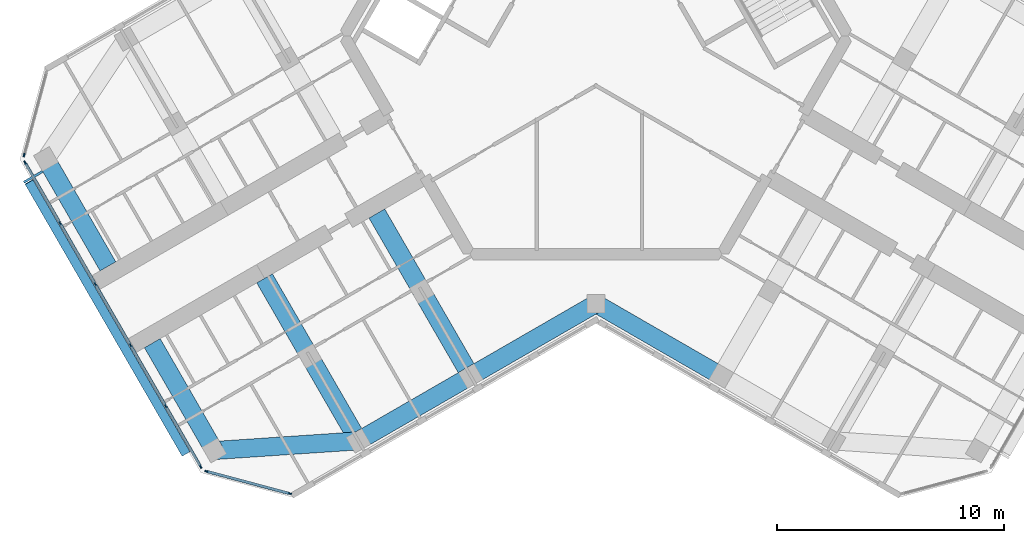
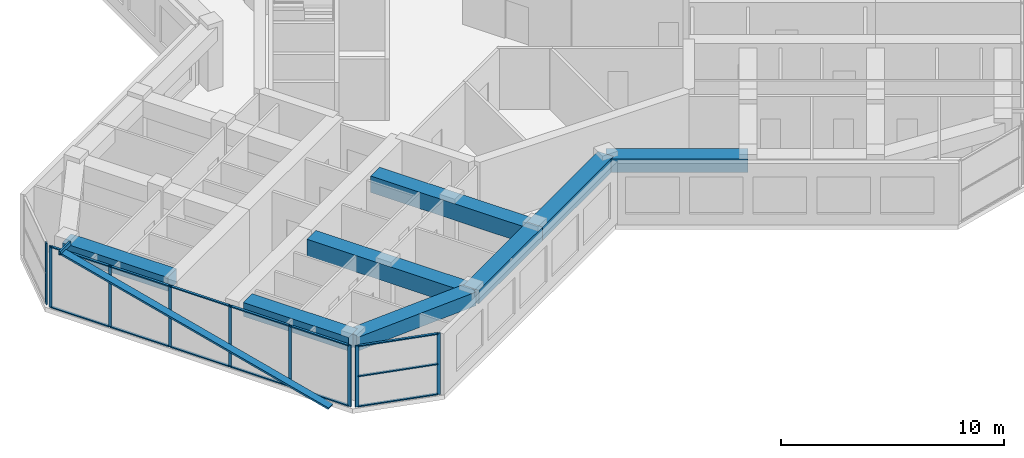
# One storey, part 2 of 14: 24 members, 8 beams, 3 elements without a shape of their own.
"""IFC4 building model written with IfcOpenShell, lengths in metres."""

from ifc_helpers import new_model, si_unit, direction, frame, origin, origin_2d, place, context, subcontext, project, spatial, rectangle, hollow_rectangle, extrude, material, material_profile, profile_set, type_object, element, aggregate, save


model = new_model("IFC4")

# Units and contexts
model_context = context("Model", 3, precision=1e-05, world=origin(), true_north=direction((0.0, 1.0)))
body_context = subcontext(model_context, "Body", "Model", "MODEL_VIEW")
ifc_project = project(units=[si_unit("LENGTHUNIT", "METRE"), si_unit("AREAUNIT", "SQUARE_METRE"), si_unit("VOLUMEUNIT", "CUBIC_METRE"), si_unit("PLANEANGLEUNIT", "RADIAN"), si_unit("MASSUNIT", "GRAM", prefix="KILO")], contexts=[model_context])

# Site, building, storey
site_placement = place(None, origin())
site = spatial("IfcSite", under=ifc_project, at=site_placement, CompositionType="ELEMENT")
building_placement = place(site_placement, origin())
building = spatial("IfcBuilding", under=site, at=building_placement, Name="Kosmar Iwan School Tower", CompositionType="ELEMENT")
storey_placement = place(building_placement, frame((0.0, 0.0, 289.0)))
storey = spatial("IfcBuildingStorey", under=building, at=storey_placement, Name="L73", CompositionType="ELEMENT", Elevation=289.0)

# Members
ifc_material_1 = material(Name="Black anodised aluminium", Category="aluminium")
ifc_material_profile_1 = material_profile(ifc_material_1, rectangle(XDim=0.10009765625, YDim=0.39990234375, at=origin_2d()), Name="FIN 100x400")
ifc_profile_set_1 = profile_set([ifc_material_profile_1], Name="Black anodised aluminium")
member_type_1 = type_object("IfcMemberType", Name="Diagonal fin 100x400", PredefinedType="USERDEFINED", material=ifc_profile_set_1)
member_1_placement = place(storey_placement, frame((-18.0283203125, -18.3740234375, -0.14990234375), z_axis=(-0.483802480126, 0.837968840024, 0.252474520243), x_axis=(0.126237445008, -0.218649241594, 0.967603543104)))
element("IfcMember", 1, at=member_1_placement, inside=storey, type_object=member_type_1, Name="Diagonal fin L73-F13", ObjectType="FIN", PredefinedType="USERDEFINED", context=body_context, shape_type="SweptSolid", body=[
    extrude(rectangle(XDim=0.10009765625, YDim=0.39990234375, at=origin_2d()), origin(), (0.0, 0.0, 1.0), 14.25830078125),
])
ifc_material_2 = material(Name="Steel S355", Category="steel")
ifc_material_profile_2 = material_profile(ifc_material_2, hollow_rectangle(XDim=0.10009765625, YDim=0.199951171875, WallThickness=0.008056640625, at=origin_2d()), Name="RHS 200x100x8")
ifc_profile_set_2 = profile_set([ifc_material_profile_2], Name="Steel S355")
member_type_2 = type_object("IfcMemberType", Name="Fin bracket RHS 200x100", PredefinedType="USERDEFINED", material=ifc_profile_set_2)
member_2_placement = place(storey_placement, frame((-24.327880859375, -5.962890625, 3.47509765625), z_axis=(-0.866100000774, -0.49987077196, 0.0), x_axis=(0.49987077196, -0.866100000774, 0.0)))
element("IfcMember", 2, at=member_2_placement, inside=storey, type_object=member_type_2, Name="Fin bracket L74", ObjectType="FIN BRACKET", PredefinedType="USERDEFINED", context=body_context, shape_type="SweptSolid", body=[
    extrude(hollow_rectangle(XDim=0.10009765625, YDim=0.199951171875, WallThickness=0.008056640625, at=origin_2d()), origin(), (0.0, 0.0, 1.0), 0.949951171875),
])

# Curtain wall, member
ifc_material_3 = material(Name="Dark glass in black aluminium frame", Category="aluminium")
curtain_wall_type_1 = type_object("IfcCurtainWallType", Name="Chamfer curtain wall dark glass", PredefinedType="USERDEFINED", material=ifc_material_3)
curtain_wall_1_placement = place(storey_placement, origin())
curtain_wall_1 = element("IfcCurtainWall", 3, at=curtain_wall_1_placement, inside=storey, type_object=curtain_wall_type_1, Name="Curtain wall L73-F12", ObjectType="FACETED CURTAIN WALL", PredefinedType="USERDEFINED")
ifc_material_4 = material(Name="Black anodised aluminium", Category="aluminium")
ifc_material_profile_3 = material_profile(ifc_material_4, rectangle(XDim=0.06005859375, YDim=0.159912109375, at=origin_2d()), Name="MULLION 60x160")
ifc_profile_set_3 = profile_set([ifc_material_profile_3], Name="Black anodised aluminium")
member_type_3 = type_object("IfcMemberType", Name="Mullion 60x160", PredefinedType="MULLION", material=ifc_profile_set_3)
member_3_placement = place(storey_placement, frame((-25.141845703125, -5.24853515625, 0.0), z_axis=(0.0, 0.0, 1.0), x_axis=(0.965925875495, -0.258818861462, 0.0)))
member_3 = element("IfcMember", 4, at=member_3_placement, type_object=member_type_3, Name="CW2 mullion 2", PredefinedType="MULLION", context=body_context, shape_type="SweptSolid", body=[
    extrude(rectangle(XDim=0.06005859375, YDim=0.159912109375, at=origin_2d()), origin(), (0.0, 0.0, 1.0), 3.35009765625),
])
aggregate(curtain_wall_1, [member_3])

# Curtain wall, members
ifc_material_5 = material(Name="Dark glass in black aluminium frame", Category="aluminium")
curtain_wall_type_2 = type_object("IfcCurtainWallType", Name="Tower curtain wall dark glass", PredefinedType="USERDEFINED", material=ifc_material_5)
curtain_wall_2_placement = place(storey_placement, origin())
curtain_wall_2 = element("IfcCurtainWall", 5, at=curtain_wall_2_placement, inside=storey, type_object=curtain_wall_type_2, Name="Curtain wall L73-F13", ObjectType="UNITISED CURTAIN WALL", PredefinedType="USERDEFINED")
member_4_placement = place(storey_placement, frame((-25.098388671875, -5.578369140625, 0.0), z_axis=(0.0, 0.0, 1.0), x_axis=(0.866025405329, 0.499999997325, 0.0)))
member_4 = element("IfcMember", 6, at=member_4_placement, type_object=member_type_3, Name="CW1 mullion 1", PredefinedType="MULLION", context=body_context, shape_type="SweptSolid", body=[
    extrude(rectangle(XDim=0.06005859375, YDim=0.159912109375, at=origin_2d()), origin(), (0.0, 0.0, 1.0), 3.35009765625),
])
member_5_placement = place(storey_placement, frame((-23.563720703125, -8.236328125, 0.0), z_axis=(0.0, 0.0, 1.0), x_axis=(0.866025405329, 0.499999997325, 0.0)))
member_5 = element("IfcMember", 7, at=member_5_placement, type_object=member_type_3, Name="CW1 mullion 2", PredefinedType="MULLION", context=body_context, shape_type="SweptSolid", body=[
    extrude(rectangle(XDim=0.06005859375, YDim=0.159912109375, at=origin_2d()), origin(), (0.0, 0.0, 1.0), 3.35009765625),
])
member_6_placement = place(storey_placement, frame((-22.01416015625, -10.92041015625, 0.0), z_axis=(0.0, 0.0, 1.0), x_axis=(0.866025405329, 0.499999997325, 0.0)))
member_6 = element("IfcMember", 8, at=member_6_placement, type_object=member_type_3, Name="CW1 mullion 3", PredefinedType="MULLION", context=body_context, shape_type="SweptSolid", body=[
    extrude(rectangle(XDim=0.06005859375, YDim=0.159912109375, at=origin_2d()), origin(), (0.0, 0.0, 1.0), 3.35009765625),
])
member_7_placement = place(storey_placement, frame((-20.46435546875, -13.6044921875, 0.0), z_axis=(0.0, 0.0, 1.0), x_axis=(0.866025405329, 0.499999997325, 0.0)))
member_7 = element("IfcMember", 9, at=member_7_placement, type_object=member_type_3, Name="CW1 mullion 4", PredefinedType="MULLION", context=body_context, shape_type="SweptSolid", body=[
    extrude(rectangle(XDim=0.06005859375, YDim=0.159912109375, at=origin_2d()), origin(), (0.0, 0.0, 1.0), 3.35009765625),
])
member_8_placement = place(storey_placement, frame((-18.914794921875, -16.28857421875, 0.0), z_axis=(0.0, 0.0, 1.0), x_axis=(0.866025405329, 0.499999997325, 0.0)))
member_8 = element("IfcMember", 10, at=member_8_placement, type_object=member_type_3, Name="CW1 mullion 5", PredefinedType="MULLION", context=body_context, shape_type="SweptSolid", body=[
    extrude(rectangle(XDim=0.06005859375, YDim=0.159912109375, at=origin_2d()), origin(), (0.0, 0.0, 1.0), 3.35009765625),
])
member_9_placement = place(storey_placement, frame((-17.380126953125, -18.94677734375, 0.0), z_axis=(0.0, 0.0, 1.0), x_axis=(0.866025405329, 0.499999997325, 0.0)))
member_9 = element("IfcMember", 11, at=member_9_placement, type_object=member_type_3, Name="CW1 mullion 6", PredefinedType="MULLION", context=body_context, shape_type="SweptSolid", body=[
    extrude(rectangle(XDim=0.06005859375, YDim=0.159912109375, at=origin_2d()), origin(), (0.0, 0.0, 1.0), 3.35009765625),
])

curtain_wall_3_placement = place(storey_placement, origin())
curtain_wall_3 = element("IfcCurtainWall", 12, at=curtain_wall_3_placement, inside=storey, type_object=curtain_wall_type_1, Name="Curtain wall L73-F14", ObjectType="FACETED CURTAIN WALL", PredefinedType="USERDEFINED")
member_10_placement = place(storey_placement, frame((-17.1162109375, -19.149169921875, 0.0), z_axis=(0.0, 0.0, 1.0), x_axis=(0.258818861462, 0.965925875495, 0.0)))
member_10 = element("IfcMember", 13, at=member_10_placement, type_object=member_type_3, Name="CW2 mullion 1", PredefinedType="MULLION", context=body_context, shape_type="SweptSolid", body=[
    extrude(rectangle(XDim=0.06005859375, YDim=0.159912109375, at=origin_2d()), origin(), (0.0, 0.0, 1.0), 3.35009765625),
])
member_11_placement = place(storey_placement, frame((-13.466064453125, -20.127197265625, 0.0), z_axis=(0.0, 0.0, 1.0), x_axis=(0.258818861462, 0.965925875495, 0.0)))
member_11 = element("IfcMember", 14, at=member_11_placement, type_object=member_type_3, Name="CW2 mullion 2", PredefinedType="MULLION", context=body_context, shape_type="SweptSolid", body=[
    extrude(rectangle(XDim=0.06005859375, YDim=0.159912109375, at=origin_2d()), origin(), (0.0, 0.0, 1.0), 3.35009765625),
])

# Beams
ifc_material_6 = material(Name="Concrete C50/60", Category="concrete")
ifc_material_profile_4 = material_profile(ifc_material_6, rectangle(XDim=0.800048828125, YDim=0.75, at=origin_2d()), Name="RC 800x750")
ifc_profile_set_4 = profile_set([ifc_material_profile_4], Name="Concrete C50/60")
beam_type_1 = type_object("IfcBeamType", Name="RC edge beam 800x750", PredefinedType="BEAM", material=ifc_profile_set_4)
beam_1_placement = place(storey_placement, frame((0.0, -11.77783203125, 2.97509765625), z_axis=(-0.866014293216, -0.500019243575, 0.0), x_axis=(0.500019243575, -0.866014293216, 0.0)))
element("IfcBeam", 15, at=beam_1_placement, inside=storey, type_object=beam_type_1, Name="Edge beam BL1", PredefinedType="BEAM", context=body_context, shape_type="SweptSolid", body=[
    extrude(rectangle(XDim=0.800048828125, YDim=0.75, at=origin_2d()), origin(), (0.0, 0.0, 1.0), 6.361083984375),
])
beam_2_placement = place(storey_placement, frame((-5.5087890625, -14.95849609375, 2.97509765625), z_axis=(-0.866033658841, -0.49998570155, 0.0), x_axis=(0.49998570155, -0.866033658841, 0.0)))
element("IfcBeam", 16, at=beam_2_placement, inside=storey, type_object=beam_type_1, Name="Edge beam BL2", PredefinedType="BEAM", context=body_context, shape_type="SweptSolid", body=[
    extrude(rectangle(XDim=0.800048828125, YDim=0.75, at=origin_2d()), origin(), (0.0, 0.0, 1.0), 5.699951171875),
])
beam_3_placement = place(storey_placement, frame((0.0, -11.77783203125, 2.97509765625), z_axis=(0.866014293216, -0.500019243575, 0.0), x_axis=(0.500019243575, 0.866014293216, 0.0)))
element("IfcBeam", 17, at=beam_3_placement, inside=storey, type_object=beam_type_1, Name="Edge beam CR1", PredefinedType="BEAM", context=body_context, shape_type="SweptSolid", body=[
    extrude(rectangle(XDim=0.800048828125, YDim=0.75, at=origin_2d()), origin(), (0.0, 0.0, 1.0), 6.361083984375),
])
ifc_material_7 = material(Name="Concrete C50/60", Category="concrete")
ifc_material_profile_5 = material_profile(ifc_material_7, rectangle(XDim=0.800048828125, YDim=0.75, at=origin_2d()), Name="RC 800x750")
ifc_profile_set_5 = profile_set([ifc_material_profile_5], Name="Concrete C50/60")
beam_type_2 = type_object("IfcBeamType", Name="RC tip beam 800x750", PredefinedType="BEAM", material=ifc_profile_set_5)
beam_4_placement = place(storey_placement, frame((-10.445068359375, -17.808349609375, 2.97509765625), z_axis=(-0.997755118724, -0.066968074933, 0.0), x_axis=(0.066968074933, -0.997755118724, 0.0)))
element("IfcBeam", 18, at=beam_4_placement, inside=storey, type_object=beam_type_2, Name="Tip beam BL", PredefinedType="BEAM", context=body_context, shape_type="SweptSolid", body=[
    extrude(rectangle(XDim=0.800048828125, YDim=0.75, at=origin_2d()), origin(), (0.0, 0.0, 1.0), 6.3505859375),
])
beam_5_placement = place(storey_placement, frame((-16.781494140625, -18.233642578125, 2.97509765625), z_axis=(-0.500002931134, 0.866023711487, 0.0), x_axis=(-0.866023711487, -0.500002931134, 0.0)))
element("IfcBeam", 19, at=beam_5_placement, inside=storey, type_object=beam_type_2, Name="Tip beam BL to corridor wall", PredefinedType="BEAM", context=body_context, shape_type="SweptSolid", body=[
    extrude(rectangle(XDim=0.800048828125, YDim=0.75, at=origin_2d()), origin(), (0.0, 0.0, 1.0), 5.4501953125),
])
beam_6_placement = place(storey_placement, frame((-24.181396484375, -5.41650390625, 2.97509765625), z_axis=(0.499988730927, -0.866031909889, 0.0), x_axis=(0.866031909889, 0.499988730927, 0.0)))
element("IfcBeam", 20, at=beam_6_placement, inside=storey, type_object=beam_type_2, Name="Tip beam BR to corridor wall", PredefinedType="BEAM", context=body_context, shape_type="SweptSolid", body=[
    extrude(rectangle(XDim=0.800048828125, YDim=0.75, at=origin_2d()), origin(), (0.0, 0.0, 1.0), 5.449951171875),
])
ifc_material_8 = material(Name="Concrete C50/60", Category="concrete")
ifc_material_profile_6 = material_profile(ifc_material_8, rectangle(XDim=0.800048828125, YDim=0.89990234375, at=origin_2d()), Name="RC 800x900")
ifc_profile_set_6 = profile_set([ifc_material_profile_6], Name="Concrete C50/60")
beam_type_3 = type_object("IfcBeamType", Name="RC transverse beam 800x900", PredefinedType="BEAM", material=ifc_profile_set_6)
beam_7_placement = place(storey_placement, frame((-5.5087890625, -14.95849609375, 2.89990234375), z_axis=(-0.499996545922, 0.866027397988, 0.0), x_axis=(-0.866027397988, -0.499996545922, 0.0)))
element("IfcBeam", 21, at=beam_7_placement, inside=storey, type_object=beam_type_3, Name="Transverse beam BL1", PredefinedType="BEAM", context=body_context, shape_type="SweptSolid", body=[
    extrude(rectangle(XDim=0.800048828125, YDim=0.89990234375, at=origin_2d()), origin(), (0.0, 0.0, 1.0), 8.25),
])
beam_8_placement = place(storey_placement, frame((-10.445068359375, -17.808349609375, 2.89990234375), z_axis=(-0.500009360108, 0.866019999656, 0.0), x_axis=(-0.866019999656, -0.500009360108, 0.0)))
element("IfcBeam", 22, at=beam_8_placement, inside=storey, type_object=beam_type_3, Name="Transverse beam BL2", PredefinedType="BEAM", context=body_context, shape_type="SweptSolid", body=[
    extrude(rectangle(XDim=0.800048828125, YDim=0.89990234375, at=origin_2d()), origin(), (0.0, 0.0, 1.0), 8.249755859375),
])

# Member
ifc_material_9 = material(Name="Black anodised aluminium", Category="aluminium")
ifc_material_profile_7 = material_profile(ifc_material_9, rectangle(XDim=0.1201171875, YDim=0.06005859375, at=origin_2d()), Name="TRANSOM 60x120")
ifc_profile_set_7 = profile_set([ifc_material_profile_7], Name="Black anodised aluminium")
member_type_4 = type_object("IfcMemberType", Name="Transom 60x120", PredefinedType="USERDEFINED", material=ifc_profile_set_7)
member_12_placement = place(storey_placement, frame((-25.08349609375, -5.604248046875, 0.030029296875), z_axis=(0.499986971506, -0.866032925658, 0.0), x_axis=(0.866032925658, 0.499986971506, 0.0)))
member_12 = element("IfcMember", 23, at=member_12_placement, type_object=member_type_4, Name="CW1 transom 1.1", ObjectType="TRANSOM", PredefinedType="USERDEFINED", context=body_context, shape_type="SweptSolid", body=[
    extrude(rectangle(XDim=0.1201171875, YDim=0.06005859375, at=origin_2d()), origin(), (0.0, 0.0, 1.0), 3.00927734375),
])

member_13_placement = place(storey_placement, frame((-25.08349609375, -5.604248046875, 3.320068359375), z_axis=(0.499986971506, -0.866032925658, 0.0), x_axis=(0.866032925658, 0.499986971506, 0.0)))
member_13 = element("IfcMember", 24, at=member_13_placement, type_object=member_type_4, Name="CW1 transom 1.2", ObjectType="TRANSOM", PredefinedType="USERDEFINED", context=body_context, shape_type="SweptSolid", body=[
    extrude(rectangle(XDim=0.1201171875, YDim=0.06005859375, at=origin_2d()), origin(), (0.0, 0.0, 1.0), 3.00927734375),
])

member_14_placement = place(storey_placement, frame((-23.548828125, -8.262451171875, 0.030029296875), z_axis=(0.500035348339, -0.866004994449, 0.0), x_axis=(0.866004994449, 0.500035348339, 0.0)))
member_14 = element("IfcMember", 25, at=member_14_placement, type_object=member_type_4, Name="CW1 transom 2.1", ObjectType="TRANSOM", PredefinedType="USERDEFINED", context=body_context, shape_type="SweptSolid", body=[
    extrude(rectangle(XDim=0.1201171875, YDim=0.06005859375, at=origin_2d()), origin(), (0.0, 0.0, 1.0), 3.039306640625),
])

member_15_placement = place(storey_placement, frame((-23.548828125, -8.262451171875, 3.320068359375), z_axis=(0.500035348339, -0.866004994449, 0.0), x_axis=(0.866004994449, 0.500035348339, 0.0)))
member_15 = element("IfcMember", 26, at=member_15_placement, type_object=member_type_4, Name="CW1 transom 2.2", ObjectType="TRANSOM", PredefinedType="USERDEFINED", context=body_context, shape_type="SweptSolid", body=[
    extrude(rectangle(XDim=0.1201171875, YDim=0.06005859375, at=origin_2d()), origin(), (0.0, 0.0, 1.0), 3.039306640625),
])

member_16_placement = place(storey_placement, frame((-21.9990234375, -10.946533203125, 0.030029296875), z_axis=(0.499975102327, -0.866039777986, 0.0), x_axis=(0.866039777986, 0.499975102327, 0.0)))
member_16 = element("IfcMember", 27, at=member_16_placement, type_object=member_type_4, Name="CW1 transom 3.1", ObjectType="TRANSOM", PredefinedType="USERDEFINED", context=body_context, shape_type="SweptSolid", body=[
    extrude(rectangle(XDim=0.1201171875, YDim=0.06005859375, at=origin_2d()), origin(), (0.0, 0.0, 1.0), 3.039306640625),
])

member_17_placement = place(storey_placement, frame((-21.9990234375, -10.946533203125, 3.320068359375), z_axis=(0.499975102327, -0.866039777986, 0.0), x_axis=(0.866039777986, 0.499975102327, 0.0)))
member_17 = element("IfcMember", 28, at=member_17_placement, type_object=member_type_4, Name="CW1 transom 3.2", ObjectType="TRANSOM", PredefinedType="USERDEFINED", context=body_context, shape_type="SweptSolid", body=[
    extrude(rectangle(XDim=0.1201171875, YDim=0.06005859375, at=origin_2d()), origin(), (0.0, 0.0, 1.0), 3.039306640625),
])

member_18_placement = place(storey_placement, frame((-20.449462890625, -13.630615234375, 0.030029296875), z_axis=(0.500035348339, -0.866004994449, 0.0), x_axis=(0.866004994449, 0.500035348339, 0.0)))
member_18 = element("IfcMember", 29, at=member_18_placement, type_object=member_type_4, Name="CW1 transom 4.1", ObjectType="TRANSOM", PredefinedType="USERDEFINED", context=body_context, shape_type="SweptSolid", body=[
    extrude(rectangle(XDim=0.1201171875, YDim=0.06005859375, at=origin_2d()), origin(), (0.0, 0.0, 1.0), 3.039306640625),
])

member_19_placement = place(storey_placement, frame((-20.449462890625, -13.630615234375, 3.320068359375), z_axis=(0.500035348339, -0.866004994449, 0.0), x_axis=(0.866004994449, 0.500035348339, 0.0)))
member_19 = element("IfcMember", 30, at=member_19_placement, type_object=member_type_4, Name="CW1 transom 4.2", ObjectType="TRANSOM", PredefinedType="USERDEFINED", context=body_context, shape_type="SweptSolid", body=[
    extrude(rectangle(XDim=0.1201171875, YDim=0.06005859375, at=origin_2d()), origin(), (0.0, 0.0, 1.0), 3.039306640625),
])

member_20_placement = place(storey_placement, frame((-18.89990234375, -16.314697265625, 0.030029296875), z_axis=(0.500022102064, -0.866012642776, 0.0), x_axis=(0.866012642776, 0.500022102064, 0.0)))
member_20 = element("IfcMember", 31, at=member_20_placement, type_object=member_type_4, Name="CW1 transom 5.1", ObjectType="TRANSOM", PredefinedType="USERDEFINED", context=body_context, shape_type="SweptSolid", body=[
    extrude(rectangle(XDim=0.1201171875, YDim=0.06005859375, at=origin_2d()), origin(), (0.0, 0.0, 1.0), 3.009033203125),
])

member_21_placement = place(storey_placement, frame((-18.89990234375, -16.314697265625, 3.320068359375), z_axis=(0.500022102064, -0.866012642776, 0.0), x_axis=(0.866012642776, 0.500022102064, 0.0)))
member_21 = element("IfcMember", 32, at=member_21_placement, type_object=member_type_4, Name="CW1 transom 5.2", ObjectType="TRANSOM", PredefinedType="USERDEFINED", context=body_context, shape_type="SweptSolid", body=[
    extrude(rectangle(XDim=0.1201171875, YDim=0.06005859375, at=origin_2d()), origin(), (0.0, 0.0, 1.0), 3.009033203125),
])

aggregate(curtain_wall_2, [member_4, member_5, member_6, member_7, member_8, member_9, member_12, member_13, member_14, member_15, member_16, member_17, member_18, member_19, member_20, member_21])

member_22_placement = place(storey_placement, frame((-17.08740234375, -19.156982421875, 0.030029296875), z_axis=(0.965940141052, -0.258765615768, 0.0), x_axis=(0.258765615768, 0.965940141052, 0.0)))
member_22 = element("IfcMember", 33, at=member_22_placement, type_object=member_type_4, Name="CW2 transom 1.1", ObjectType="TRANSOM", PredefinedType="USERDEFINED", context=body_context, shape_type="SweptSolid", body=[
    extrude(rectangle(XDim=0.1201171875, YDim=0.06005859375, at=origin_2d()), origin(), (0.0, 0.0, 1.0), 3.71923828125),
])

member_23_placement = place(storey_placement, frame((-17.08740234375, -19.156982421875, 1.675048828125), z_axis=(0.965940141052, -0.258765615768, 0.0), x_axis=(0.258765615768, 0.965940141052, 0.0)))
member_23 = element("IfcMember", 34, at=member_23_placement, type_object=member_type_4, Name="CW2 transom 1.2", ObjectType="TRANSOM", PredefinedType="USERDEFINED", context=body_context, shape_type="SweptSolid", body=[
    extrude(rectangle(XDim=0.1201171875, YDim=0.06005859375, at=origin_2d()), origin(), (0.0, 0.0, 1.0), 3.71923828125),
])

member_24_placement = place(storey_placement, frame((-17.08740234375, -19.156982421875, 3.320068359375), z_axis=(0.965940141052, -0.258765615768, 0.0), x_axis=(0.258765615768, 0.965940141052, 0.0)))
member_24 = element("IfcMember", 35, at=member_24_placement, type_object=member_type_4, Name="CW2 transom 1.3", ObjectType="TRANSOM", PredefinedType="USERDEFINED", context=body_context, shape_type="SweptSolid", body=[
    extrude(rectangle(XDim=0.1201171875, YDim=0.06005859375, at=origin_2d()), origin(), (0.0, 0.0, 1.0), 3.71923828125),
])

aggregate(curtain_wall_3, [member_10, member_11, member_22, member_23, member_24])

save(model, "model.ifc")
